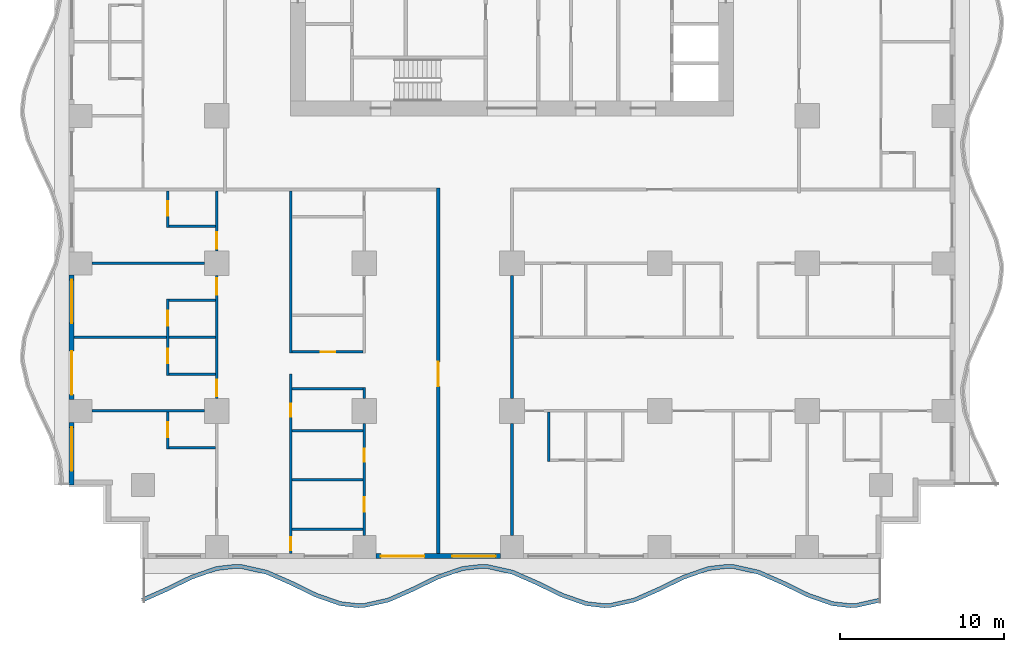
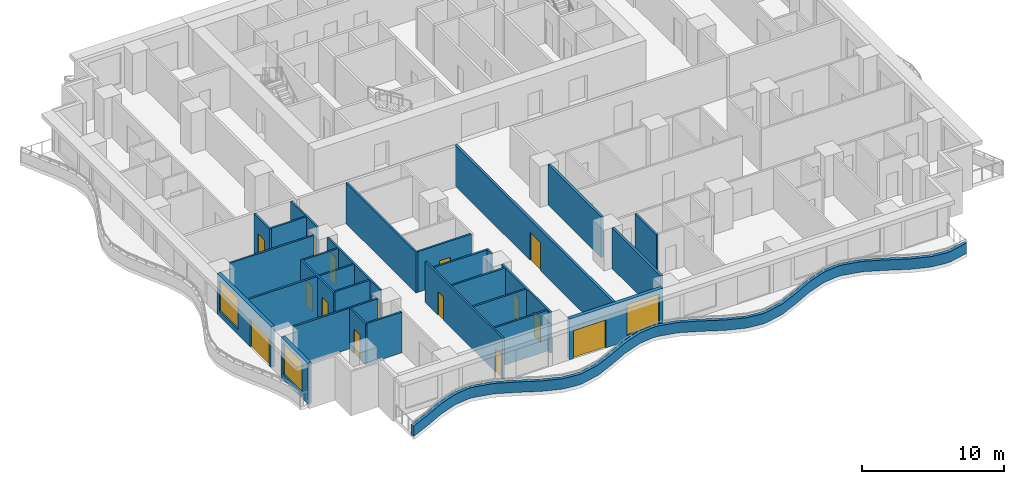
# One storey, part 2 of 14: 30 walls, 15 doors, 3 windows, 18 openings.
"""IFC4 building model written with IfcOpenShell, lengths in metres."""

from ifc_helpers import new_model, si_unit, direction, frame, frame_2d, origin, place, context, subcontext, project, spatial, polyline, rectangle, outline, extrude, material, layer, layer_set, type_object, element, fill, save


model = new_model("IFC4")

# Units and contexts
model_context = context("Model", 3, precision=1e-05, world=origin(), true_north=direction((0.0, 1.0)))
body_context = subcontext(model_context, "Body", "Model", "MODEL_VIEW")
ifc_project = project(units=[si_unit("LENGTHUNIT", "METRE"), si_unit("AREAUNIT", "SQUARE_METRE"), si_unit("VOLUMEUNIT", "CUBIC_METRE"), si_unit("PLANEANGLEUNIT", "RADIAN"), si_unit("MASSUNIT", "GRAM", prefix="KILO")], contexts=[model_context])

# Site, building, storey
site_placement = place(None, origin())
site = spatial("IfcSite", under=ifc_project, at=site_placement, CompositionType="ELEMENT")
building_placement = place(site_placement, origin())
building = spatial("IfcBuilding", under=site, at=building_placement, Name="Orbiselva Terraces", CompositionType="ELEMENT")
storey_placement = place(building_placement, frame((0.0, 0.0, 56.8)))
storey = spatial("IfcBuildingStorey", under=building, at=storey_placement, Name="L14", CompositionType="ELEMENT", Elevation=56.8)

# Wall
ifc_material_1 = material(Name="Concrete C40/50", Category="concrete")
ifc_layer_1 = layer(ifc_material_1, 0.25)
ifc_layer_set_1 = layer_set([ifc_layer_1], Name="Concrete C40/50")
wall_type_1 = type_object("IfcWallType", Name="ENV-PLANTER-250x900", PredefinedType="USERDEFINED", material=ifc_layer_set_1)
wall_1_placement = place(storey_placement, origin())
element("IfcWall", 1, at=wall_1_placement, inside=storey, type_object=wall_type_1, Name="Balcony planter L14 S", ObjectType="PLANTER", PredefinedType="USERDEFINED", context=body_context, shape_type="SweptSolid", body=[
    extrude(outline(polyline([(-22.5, -25.148528), (-21.0, -24.487721), (-19.5, -23.755211), (-18.0, -23.230792), (-16.875, -23.1), (-16.5, -23.114774), (-15.0, -23.451472), (-13.5, -24.112279), (-12.0, -24.844789), (-10.5, -25.369208), (-9.375, -25.5), (-9.0, -25.485226), (-7.5, -25.148528), (-6.0, -24.487721), (-4.5, -23.755211), (-3.0, -23.230792), (-1.875, -23.1), (-1.5, -23.114774), (0.0, -23.451472), (1.5, -24.112279), (3.0, -24.844789), (4.5, -25.369208), (5.625, -25.5), (6.0, -25.485226), (7.5, -25.148528), (9.0, -24.487721), (10.5, -23.755211), (12.0, -23.230792), (13.125, -23.1), (13.5, -23.114774), (15.0, -23.451472), (16.5, -24.112279), (18.0, -24.844789), (19.5, -25.369208), (20.625, -25.5), (21.0, -25.485226), (22.5, -25.148528), (22.445246, -24.904598), (20.967435, -25.236315), (20.634572, -25.249429), (19.556371, -25.124078), (18.09644, -24.613667), (16.605286, -23.885477), (15.078508, -23.212874), (13.532565, -22.865863), (13.115428, -22.849429), (11.943629, -22.985662), (10.40356, -23.524089), (8.894714, -24.260919), (7.421492, -24.90993), (5.967435, -25.236315), (5.634572, -25.249429), (4.556371, -25.124078), (3.09644, -24.613667), (1.605286, -23.885477), (0.078508, -23.212874), (-1.467435, -22.865863), (-1.884572, -22.849429), (-3.056371, -22.985662), (-4.59644, -23.524089), (-6.105286, -24.260919), (-7.578508, -24.90993), (-9.032565, -25.236315), (-9.365428, -25.249429), (-10.443629, -25.124078), (-11.90356, -24.613667), (-13.394714, -23.885477), (-14.921492, -23.212874), (-16.467435, -22.865863), (-16.884572, -22.849429), (-18.056371, -22.985662), (-19.59644, -23.524089), (-21.105286, -24.260919), (-22.600788, -24.919745), (-22.5, -25.148528)])), origin(), (0.0, 0.0, 1.0), 0.9),
])

# Wall, openings, door, window
ifc_material_2 = material(Name="Terracotta cladding on masonry backing", Category="masonry")
ifc_layer_2 = layer(ifc_material_2, 0.3)
ifc_layer_set_2 = layer_set([ifc_layer_2], Name="Terracotta cladding on masonry backing")
wall_type_2 = type_object("IfcWallType", Name="ENV-WALL-TERRACOTTA-300", PredefinedType="SOLIDWALL", material=ifc_layer_set_2)
wall_2_placement = place(storey_placement, frame((-0.7, -22.35, 0.0), z_axis=(0.0, 0.0, 1.0), x_axis=(-1.0, 0.0, 0.0)))
wall_2 = element("IfcWall", 2, at=wall_2_placement, inside=storey, type_object=wall_type_2, Name="Facade wall L14 S", PredefinedType="SOLIDWALL", context=body_context, shape_type="SweptSolid", body=[
    extrude(rectangle(XDim=7.6, YDim=0.3, at=frame_2d((3.8, 0.0))), origin(), (0.0, 0.0, 1.0), 3.5),
])
opening_1_placement = place(wall_2_placement, frame((4.65, 0.0, 0.0)))
opening_1 = element("IfcOpeningElement", 3, at=opening_1_placement, cuts=wall_2, Name="Opening Z1-E-E02", PredefinedType="OPENING", context=body_context, shape_type="SweptSolid", body=[
    extrude(rectangle(XDim=2.65, YDim=2.4, at=frame_2d((1.325, 1.2))), frame((0.0, 0.16, 0.0), z_axis=(0.0, -1.0, 0.0), x_axis=(1.0, 0.0, 0.0)), (0.0, 0.0, 1.0), 0.32),
])
opening_2_placement = place(wall_2_placement, frame((0.3, 0.0, 0.45)))
opening_2 = element("IfcOpeningElement", 4, at=opening_2_placement, cuts=wall_2, Name="Opening WN3", PredefinedType="OPENING", context=body_context, shape_type="SweptSolid", body=[
    extrude(rectangle(XDim=2.65, YDim=2.65, at=frame_2d((1.325, 1.325))), frame((0.0, 0.16, 0.0), z_axis=(0.0, -1.0, 0.0), x_axis=(1.0, 0.0, 0.0)), (0.0, 0.0, 1.0), 0.32),
])
ifc_material_3 = material(Name="Clear low-e glazing in aluminium frame", Category="aluminium")
door_type_1 = type_object("IfcDoorType", Name="BALCONY DOOR 2650 X 2400", OperationType="DOUBLE_DOOR_SLIDING", PredefinedType="DOOR", material=ifc_material_3)
door_1_placement = place(opening_1_placement, origin())
door_1 = element("IfcDoor", 5, at=door_1_placement, inside=storey, type_object=door_type_1, Name="Z1-E-E02", OperationType="SINGLE_SWING_LEFT", OverallHeight=2.4, OverallWidth=2.65, PredefinedType="DOOR", context=body_context, shape_type="SweptSolid", body=[
    extrude(rectangle(XDim=2.65, YDim=2.4, at=frame_2d((1.325, 1.2))), frame((0.0, 0.025, 0.0), z_axis=(0.0, -1.0, 0.0), x_axis=(1.0, 0.0, 0.0)), (0.0, 0.0, 1.0), 0.05),
])
fill(opening_1, door_1)
window_type = type_object("IfcWindowType", Name="WINDOW 2650 X 2650 S450", PartitioningType="TRIPLE_PANEL_VERTICAL", PredefinedType="WINDOW", material=ifc_material_3)
window_1_placement = place(opening_2_placement, origin())
window_1 = element("IfcWindow", 6, at=window_1_placement, inside=storey, type_object=window_type, Name="Window L14 S", OverallHeight=2.65, OverallWidth=2.65, PartitioningType="SINGLE_PANEL", PredefinedType="WINDOW", context=body_context, shape_type="SweptSolid", body=[
    extrude(rectangle(XDim=2.65, YDim=2.65, at=frame_2d((1.325, 1.325))), frame((0.0, 0.03, 0.0), z_axis=(0.0, -1.0, 0.0), x_axis=(1.0, 0.0, 0.0)), (0.0, 0.0, 1.0), 0.06),
])
fill(opening_2, window_1)

wall_3_placement = place(storey_placement, frame((-26.85, -12.8, 0.0), z_axis=(0.0, 0.0, 1.0), x_axis=(0.0, 1.0, 0.0)))
wall_3 = element("IfcWall", 7, at=wall_3_placement, inside=storey, type_object=wall_type_2, Name="Facade wall L14 W", PredefinedType="SOLIDWALL", context=body_context, shape_type="SweptSolid", body=[
    extrude(rectangle(XDim=7.6, YDim=0.3, at=frame_2d((3.8, 0.0))), origin(), (0.0, 0.0, 1.0), 3.5),
])
opening_3_placement = place(wall_3_placement, frame((4.65, 0.0, 0.45)))
opening_3 = element("IfcOpeningElement", 8, at=opening_3_placement, cuts=wall_3, Name="Opening WN3", PredefinedType="OPENING", context=body_context, shape_type="SweptSolid", body=[
    extrude(rectangle(XDim=2.65, YDim=2.65, at=frame_2d((1.325, 1.325))), frame((0.0, 0.16, 0.0), z_axis=(0.0, -1.0, 0.0), x_axis=(1.0, 0.0, 0.0)), (0.0, 0.0, 1.0), 0.32),
])
opening_4_placement = place(wall_3_placement, frame((0.3, 0.0, 0.0)))
opening_4 = element("IfcOpeningElement", 9, at=opening_4_placement, cuts=wall_3, Name="Opening Z1-E-E12", PredefinedType="OPENING", context=body_context, shape_type="SweptSolid", body=[
    extrude(rectangle(XDim=2.65, YDim=2.4, at=frame_2d((1.325, 1.2))), frame((0.0, 0.16, 0.0), z_axis=(0.0, -1.0, 0.0), x_axis=(1.0, 0.0, 0.0)), (0.0, 0.0, 1.0), 0.32),
])
door_2_placement = place(opening_4_placement, origin())
door_2 = element("IfcDoor", 10, at=door_2_placement, inside=storey, type_object=door_type_1, Name="Z1-E-E12", OperationType="SINGLE_SWING_LEFT", OverallHeight=2.4, OverallWidth=2.65, PredefinedType="DOOR", context=body_context, shape_type="SweptSolid", body=[
    extrude(rectangle(XDim=2.65, YDim=2.4, at=frame_2d((1.325, 1.2))), frame((0.0, 0.025, 0.0), z_axis=(0.0, -1.0, 0.0), x_axis=(1.0, 0.0, 0.0)), (0.0, 0.0, 1.0), 0.05),
])
fill(opening_4, door_2)
window_2_placement = place(opening_3_placement, origin())
window_2 = element("IfcWindow", 11, at=window_2_placement, inside=storey, type_object=window_type, Name="Window L14 W", OverallHeight=2.65, OverallWidth=2.65, PartitioningType="SINGLE_PANEL", PredefinedType="WINDOW", context=body_context, shape_type="SweptSolid", body=[
    extrude(rectangle(XDim=2.65, YDim=2.65, at=frame_2d((1.325, 1.325))), frame((0.0, 0.03, 0.0), z_axis=(0.0, -1.0, 0.0), x_axis=(1.0, 0.0, 0.0)), (0.0, 0.0, 1.0), 0.06),
])
fill(opening_3, window_2)

# Wall, opening, window
wall_4_placement = place(storey_placement, frame((-26.85, -18.0, 0.0), z_axis=(0.0, 0.0, 1.0), x_axis=(0.0, 1.0, 0.0)))
wall_4 = element("IfcWall", 12, at=wall_4_placement, inside=storey, type_object=wall_type_2, Name="Facade wall L14 W", PredefinedType="SOLIDWALL", context=body_context, shape_type="SweptSolid", body=[
    extrude(rectangle(XDim=3.8, YDim=0.3, at=frame_2d((1.9, 0.0))), origin(), (0.0, 0.0, 1.0), 3.5),
])
opening_5_placement = place(wall_4_placement, frame((0.85, 0.0, 0.45)))
opening_5 = element("IfcOpeningElement", 13, at=opening_5_placement, cuts=wall_4, Name="Opening WN3", PredefinedType="OPENING", context=body_context, shape_type="SweptSolid", body=[
    extrude(rectangle(XDim=2.65, YDim=2.65, at=frame_2d((1.325, 1.325))), frame((0.0, 0.16, 0.0), z_axis=(0.0, -1.0, 0.0), x_axis=(1.0, 0.0, 0.0)), (0.0, 0.0, 1.0), 0.32),
])
window_3_placement = place(opening_5_placement, origin())
window_3 = element("IfcWindow", 14, at=window_3_placement, inside=storey, type_object=window_type, Name="Window L14 W", OverallHeight=2.65, OverallWidth=2.65, PartitioningType="SINGLE_PANEL", PredefinedType="WINDOW", context=body_context, shape_type="SweptSolid", body=[
    extrude(rectangle(XDim=2.65, YDim=2.65, at=frame_2d((1.325, 1.325))), frame((0.0, 0.03, 0.0), z_axis=(0.0, -1.0, 0.0), x_axis=(1.0, 0.0, 0.0)), (0.0, 0.0, 1.0), 0.06),
])
fill(opening_5, window_3)

# Wall, opening, door
ifc_material_4 = material(Name="Plasterboard on steel stud partition", Category="steel")
ifc_layer_3 = layer(ifc_material_4, 0.2)
ifc_layer_set_3 = layer_set([ifc_layer_3], Name="Plasterboard on steel stud partition")
wall_type_3 = type_object("IfcWallType", Name="UNIT-ENTRANCE-WALL-200", PredefinedType="PARTITIONING", material=ifc_layer_set_3)
wall_5_placement = place(storey_placement, frame((-4.5, -22.2, 0.0), z_axis=(0.0, 0.0, 1.0), x_axis=(0.0, 1.0, 0.0)))
wall_5 = element("IfcWall", 15, at=wall_5_placement, inside=storey, type_object=wall_type_3, Name="PARTITION L14-063", PredefinedType="PARTITIONING", context=body_context, shape_type="SweptSolid", body=[
    extrude(rectangle(XDim=22.3, YDim=0.2, at=frame_2d((11.15, 0.0))), origin(), (0.0, 0.0, 1.0), 3.5),
])
opening_6_placement = place(wall_5_placement, frame((10.2, 0.0, 0.0)))
opening_6 = element("IfcOpeningElement", 16, at=opening_6_placement, cuts=wall_5, Name="Opening Z1-E-15", PredefinedType="OPENING", context=body_context, shape_type="SweptSolid", body=[
    extrude(rectangle(XDim=1.5, YDim=2.4, at=frame_2d((0.75, 1.2))), frame((0.0, 0.11, 0.0), z_axis=(0.0, -1.0, 0.0), x_axis=(1.0, 0.0, 0.0)), (0.0, 0.0, 1.0), 0.22),
])
ifc_material_5 = material(Name="Painted timber door leaf", Category="wood")
door_type_2 = type_object("IfcDoorType", Name="ENTRANCE DOUBLE DOOR 1500", OperationType="NOTDEFINED", PredefinedType="DOOR", material=ifc_material_5)
door_3_placement = place(opening_6_placement, origin())
door_3 = element("IfcDoor", 17, at=door_3_placement, inside=storey, type_object=door_type_2, Name="Z1-E-15", OperationType="DOUBLE_DOOR_SINGLE_SWING", OverallHeight=2.4, OverallWidth=1.5, PredefinedType="DOOR", context=body_context, shape_type="SweptSolid", body=[
    extrude(rectangle(XDim=1.5, YDim=2.4, at=frame_2d((0.75, 1.2))), frame((0.0, 0.025, 0.0), z_axis=(0.0, -1.0, 0.0), x_axis=(1.0, 0.0, 0.0)), (0.0, 0.0, 1.0), 0.05),
])
fill(opening_6, door_3)

# Walls
wall_6_placement = place(storey_placement, frame((0.0, -21.1, 0.0), z_axis=(0.0, 0.0, 1.0), x_axis=(0.0, 1.0, 0.0)))
element("IfcWall", 18, at=wall_6_placement, inside=storey, type_object=wall_type_3, Name="PARTITION L14-064", PredefinedType="PARTITIONING", context=body_context, shape_type="SweptSolid", body=[
    extrude(rectangle(XDim=6.85, YDim=0.2, at=frame_2d((3.425, 0.0))), origin(), (0.0, 0.0, 1.0), 3.5),
])
wall_7_placement = place(storey_placement, frame((0.0, -12.75, 0.0), z_axis=(0.0, 0.0, 1.0), x_axis=(0.0, 1.0, 0.0)))
element("IfcWall", 19, at=wall_7_placement, inside=storey, type_object=wall_type_3, Name="PARTITION L14-065", PredefinedType="PARTITIONING", context=body_context, shape_type="SweptSolid", body=[
    extrude(rectangle(XDim=7.5, YDim=0.2, at=frame_2d((3.75, 0.0))), origin(), (0.0, 0.0, 1.0), 3.5),
])
ifc_layer_4 = layer(ifc_material_4, 0.15)
ifc_layer_set_4 = layer_set([ifc_layer_4], Name="Plasterboard on steel stud partition")
wall_type_4 = type_object("IfcWallType", Name="UNIT-PARTITION-150", PredefinedType="PARTITIONING", material=ifc_layer_set_4)
for number, where, z_axis, x_axis, name in (
    (20, (-13.425, -20.7, 0.0), (0.0, 0.0, 1.0), (1.0, 0.0, 0.0), "PARTITION L14-001"),
    (21, (-13.425, -17.7, 0.0), (0.0, 0.0, 1.0), (1.0, 0.0, 0.0), "PARTITION L14-002"),
):
    element("IfcWall", number, at=place(storey_placement, frame(where, z_axis=z_axis, x_axis=x_axis)), inside=storey, type_object=wall_type_4, Name=name, PredefinedType="PARTITIONING", context=body_context, shape_type="SweptSolid", body=[
        extrude(rectangle(XDim=4.35, YDim=0.15, at=frame_2d((2.175, 0.0))), origin(), (0.0, 0.0, 1.0), 3.5),
    ])
wall_8_placement = place(storey_placement, frame((-20.925, -15.75, 0.0), z_axis=(0.0, 0.0, 1.0), x_axis=(1.0, 0.0, 0.0)))
element("IfcWall", 22, at=wall_8_placement, inside=storey, type_object=wall_type_4, Name="PARTITION L14-007", PredefinedType="PARTITIONING", context=body_context, shape_type="SweptSolid", body=[
    extrude(rectangle(XDim=2.85, YDim=0.15, at=frame_2d((1.425, 0.0))), origin(), (0.0, 0.0, 1.0), 3.5),
])
wall_9_placement = place(storey_placement, frame((-13.425, -14.7, 0.0), z_axis=(0.0, 0.0, 1.0), x_axis=(1.0, 0.0, 0.0)))
element("IfcWall", 23, at=wall_9_placement, inside=storey, type_object=wall_type_4, Name="PARTITION L14-008", PredefinedType="PARTITIONING", context=body_context, shape_type="SweptSolid", body=[
    extrude(rectangle(XDim=4.35, YDim=0.15, at=frame_2d((2.175, 0.0))), origin(), (0.0, 0.0, 1.0), 3.5),
])
wall_10_placement = place(storey_placement, frame((-25.6, -13.5, 0.0), z_axis=(0.0, 0.0, 1.0), x_axis=(1.0, 0.0, 0.0)))
element("IfcWall", 24, at=wall_10_placement, inside=storey, type_object=wall_type_4, Name="PARTITION L14-009", PredefinedType="PARTITIONING", context=body_context, shape_type="SweptSolid", body=[
    extrude(rectangle(XDim=6.85, YDim=0.15, at=frame_2d((3.425, 0.0))), origin(), (0.0, 0.0, 1.0), 3.5),
])
wall_11_placement = place(storey_placement, frame((-13.425, -12.15, 0.0), z_axis=(0.0, 0.0, 1.0), x_axis=(1.0, 0.0, 0.0)))
element("IfcWall", 25, at=wall_11_placement, inside=storey, type_object=wall_type_4, Name="PARTITION L14-013", PredefinedType="PARTITIONING", context=body_context, shape_type="SweptSolid", body=[
    extrude(rectangle(XDim=4.35, YDim=0.15, at=frame_2d((2.175, 0.0))), origin(), (0.0, 0.0, 1.0), 3.5),
])
wall_12_placement = place(storey_placement, frame((-20.925, -11.25, 0.0), z_axis=(0.0, 0.0, 1.0), x_axis=(1.0, 0.0, 0.0)))
element("IfcWall", 26, at=wall_12_placement, inside=storey, type_object=wall_type_4, Name="PARTITION L14-014", PredefinedType="PARTITIONING", context=body_context, shape_type="SweptSolid", body=[
    extrude(rectangle(XDim=2.85, YDim=0.15, at=frame_2d((1.425, 0.0))), origin(), (0.0, 0.0, 1.0), 3.5),
])

# Wall, opening, door
wall_13_placement = place(storey_placement, frame((-13.425, -9.9, 0.0), z_axis=(0.0, 0.0, 1.0), x_axis=(1.0, 0.0, 0.0)))
wall_13 = element("IfcWall", 27, at=wall_13_placement, inside=storey, type_object=wall_type_4, Name="PARTITION L14-015", PredefinedType="PARTITIONING", context=body_context, shape_type="SweptSolid", body=[
    extrude(rectangle(XDim=4.35, YDim=0.15, at=frame_2d((2.175, 0.0))), origin(), (0.0, 0.0, 1.0), 3.5),
])
opening_7_placement = place(wall_13_placement, frame((1.75, 0.0, 0.0)))
opening_7 = element("IfcOpeningElement", 28, at=opening_7_placement, cuts=wall_13, Name="Opening Z1-E-18", PredefinedType="OPENING", context=body_context, shape_type="SweptSolid", body=[
    extrude(rectangle(XDim=0.9, YDim=2.1, at=frame_2d((0.45, 1.05))), frame((0.0, 0.085, 0.0), z_axis=(0.0, -1.0, 0.0), x_axis=(1.0, 0.0, 0.0)), (0.0, 0.0, 1.0), 0.17),
])
door_type_3 = type_object("IfcDoorType", Name="BATH DOOR 900", OperationType="NOTDEFINED", PredefinedType="DOOR", material=ifc_material_5)
door_4_placement = place(opening_7_placement, origin())
door_4 = element("IfcDoor", 29, at=door_4_placement, inside=storey, type_object=door_type_3, Name="Z1-E-18", OperationType="SINGLE_SWING_RIGHT", OverallHeight=2.1, OverallWidth=0.9, PredefinedType="DOOR", context=body_context, shape_type="SweptSolid", body=[
    extrude(rectangle(XDim=0.9, YDim=2.1, at=frame_2d((0.45, 1.05))), frame((0.0, 0.025, 0.0), z_axis=(0.0, -1.0, 0.0), x_axis=(1.0, 0.0, 0.0)), (0.0, 0.0, 1.0), 0.05),
])
fill(opening_7, door_4)

# Walls
wall_14_placement = place(storey_placement, frame((-26.7, -9.0, 0.0), z_axis=(0.0, 0.0, 1.0), x_axis=(1.0, 0.0, 0.0)))
element("IfcWall", 30, at=wall_14_placement, inside=storey, type_object=wall_type_4, Name="PARTITION L14-016", PredefinedType="PARTITIONING", context=body_context, shape_type="SweptSolid", body=[
    extrude(rectangle(XDim=5.625, YDim=0.15, at=frame_2d((2.8125, 0.0))), origin(), (0.0, 0.0, 1.0), 3.5),
])
for number, where, z_axis, x_axis, name in (
    (31, (-20.925, -9.0, 0.0), (0.0, 0.0, 1.0), (1.0, 0.0, 0.0), "PARTITION L14-017"),
    (32, (-20.925, -6.75, 0.0), (0.0, 0.0, 1.0), (1.0, 0.0, 0.0), "PARTITION L14-021"),
):
    element("IfcWall", number, at=place(storey_placement, frame(where, z_axis=z_axis, x_axis=x_axis)), inside=storey, type_object=wall_type_4, Name=name, PredefinedType="PARTITIONING", context=body_context, shape_type="SweptSolid", body=[
        extrude(rectangle(XDim=2.85, YDim=0.15, at=frame_2d((1.425, 0.0))), origin(), (0.0, 0.0, 1.0), 3.5),
    ])
wall_15_placement = place(storey_placement, frame((-25.6, -4.5, 0.0), z_axis=(0.0, 0.0, 1.0), x_axis=(1.0, 0.0, 0.0)))
element("IfcWall", 33, at=wall_15_placement, inside=storey, type_object=wall_type_4, Name="PARTITION L14-022", PredefinedType="PARTITIONING", context=body_context, shape_type="SweptSolid", body=[
    extrude(rectangle(XDim=6.85, YDim=0.15, at=frame_2d((3.425, 0.0))), origin(), (0.0, 0.0, 1.0), 3.5),
])
wall_16_placement = place(storey_placement, frame((-20.925, -2.25, 0.0), z_axis=(0.0, 0.0, 1.0), x_axis=(1.0, 0.0, 0.0)))
element("IfcWall", 34, at=wall_16_placement, inside=storey, type_object=wall_type_4, Name="PARTITION L14-027", PredefinedType="PARTITIONING", context=body_context, shape_type="SweptSolid", body=[
    extrude(rectangle(XDim=2.85, YDim=0.15, at=frame_2d((1.425, 0.0))), origin(), (0.0, 0.0, 1.0), 3.5),
])

# Wall, opening, door
wall_17_placement = place(storey_placement, frame((-21.0, -13.575, 0.0), z_axis=(0.0, 0.0, 1.0), x_axis=(0.0, -1.0, 0.0)))
wall_17 = element("IfcWall", 35, at=wall_17_placement, inside=storey, type_object=wall_type_4, Name="PARTITION L14-047", PredefinedType="PARTITIONING", context=body_context, shape_type="SweptSolid", body=[
    extrude(rectangle(XDim=2.25, YDim=0.15, at=frame_2d((1.125, 0.0))), origin(), (0.0, 0.0, 1.0), 3.5),
])
opening_8_placement = place(wall_17_placement, frame((0.625, 0.0, 0.0)))
opening_8 = element("IfcOpeningElement", 36, at=opening_8_placement, cuts=wall_17, Name="Opening Z1-E-30", PredefinedType="OPENING", context=body_context, shape_type="SweptSolid", body=[
    extrude(rectangle(XDim=0.9, YDim=2.1, at=frame_2d((0.45, 1.05))), frame((0.0, 0.085, 0.0), z_axis=(0.0, -1.0, 0.0), x_axis=(1.0, 0.0, 0.0)), (0.0, 0.0, 1.0), 0.17),
])
door_5_placement = place(opening_8_placement, origin())
door_5 = element("IfcDoor", 37, at=door_5_placement, inside=storey, type_object=door_type_3, Name="Z1-E-30", OperationType="SINGLE_SWING_LEFT", OverallHeight=2.1, OverallWidth=0.9, PredefinedType="DOOR", context=body_context, shape_type="SweptSolid", body=[
    extrude(rectangle(XDim=0.9, YDim=2.1, at=frame_2d((0.45, 1.05))), frame((0.0, 0.025, 0.0), z_axis=(0.0, -1.0, 0.0), x_axis=(1.0, 0.0, 0.0)), (0.0, 0.0, 1.0), 0.05),
])
fill(opening_8, door_5)

# Wall, openings, doors
wall_18_placement = place(storey_placement, frame((-21.0, -6.675, 0.0), z_axis=(0.0, 0.0, 1.0), x_axis=(0.0, -1.0, 0.0)))
wall_18 = element("IfcWall", 38, at=wall_18_placement, inside=storey, type_object=wall_type_4, Name="PARTITION L14-048", PredefinedType="PARTITIONING", context=body_context, shape_type="SweptSolid", body=[
    extrude(rectangle(XDim=4.65, YDim=0.15, at=frame_2d((2.325, 0.0))), origin(), (0.0, 0.0, 1.0), 3.5),
])
opening_9_placement = place(wall_18_placement, frame((0.725, 0.0, 0.0)))
opening_9 = element("IfcOpeningElement", 39, at=opening_9_placement, cuts=wall_18, Name="Opening Z1-E-26", PredefinedType="OPENING", context=body_context, shape_type="SweptSolid", body=[
    extrude(rectangle(XDim=0.9, YDim=2.1, at=frame_2d((0.45, 1.05))), frame((0.0, 0.085, 0.0), z_axis=(0.0, -1.0, 0.0), x_axis=(1.0, 0.0, 0.0)), (0.0, 0.0, 1.0), 0.17),
])
opening_10_placement = place(wall_18_placement, frame((3.025, 0.0, 0.0)))
opening_10 = element("IfcOpeningElement", 40, at=opening_10_placement, cuts=wall_18, Name="Opening Z1-E-28", PredefinedType="OPENING", context=body_context, shape_type="SweptSolid", body=[
    extrude(rectangle(XDim=0.9, YDim=2.1, at=frame_2d((0.45, 1.05))), frame((0.0, 0.085, 0.0), z_axis=(0.0, -1.0, 0.0), x_axis=(1.0, 0.0, 0.0)), (0.0, 0.0, 1.0), 0.17),
])
door_6_placement = place(opening_9_placement, origin())
door_6 = element("IfcDoor", 41, at=door_6_placement, inside=storey, type_object=door_type_3, Name="Z1-E-26", OperationType="SINGLE_SWING_LEFT", OverallHeight=2.1, OverallWidth=0.9, PredefinedType="DOOR", context=body_context, shape_type="SweptSolid", body=[
    extrude(rectangle(XDim=0.9, YDim=2.1, at=frame_2d((0.45, 1.05))), frame((0.0, 0.025, 0.0), z_axis=(0.0, -1.0, 0.0), x_axis=(1.0, 0.0, 0.0)), (0.0, 0.0, 1.0), 0.05),
])
fill(opening_9, door_6)
door_7_placement = place(opening_10_placement, origin())
door_7 = element("IfcDoor", 42, at=door_7_placement, inside=storey, type_object=door_type_3, Name="Z1-E-28", OperationType="SINGLE_SWING_RIGHT", OverallHeight=2.1, OverallWidth=0.9, PredefinedType="DOOR", context=body_context, shape_type="SweptSolid", body=[
    extrude(rectangle(XDim=0.9, YDim=2.1, at=frame_2d((0.45, 1.05))), frame((0.0, 0.025, 0.0), z_axis=(0.0, -1.0, 0.0), x_axis=(1.0, 0.0, 0.0)), (0.0, 0.0, 1.0), 0.05),
])
fill(opening_10, door_7)

# Wall, opening, door
wall_19_placement = place(storey_placement, frame((-21.0, -0.1, 0.0), z_axis=(0.0, 0.0, 1.0), x_axis=(0.0, -1.0, 0.0)))
wall_19 = element("IfcWall", 43, at=wall_19_placement, inside=storey, type_object=wall_type_4, Name="PARTITION L14-049", PredefinedType="PARTITIONING", context=body_context, shape_type="SweptSolid", body=[
    extrude(rectangle(XDim=2.225, YDim=0.15, at=frame_2d((1.1125, 0.0))), origin(), (0.0, 0.0, 1.0), 3.5),
])
opening_11_placement = place(wall_19_placement, frame((0.6, 0.0, 0.0)))
opening_11 = element("IfcOpeningElement", 44, at=opening_11_placement, cuts=wall_19, Name="Opening Z1-E-24", PredefinedType="OPENING", context=body_context, shape_type="SweptSolid", body=[
    extrude(rectangle(XDim=0.9, YDim=2.1, at=frame_2d((0.45, 1.05))), frame((0.0, 0.085, 0.0), z_axis=(0.0, -1.0, 0.0), x_axis=(1.0, 0.0, 0.0)), (0.0, 0.0, 1.0), 0.17),
])
door_8_placement = place(opening_11_placement, origin())
door_8 = element("IfcDoor", 45, at=door_8_placement, inside=storey, type_object=door_type_3, Name="Z1-E-24", OperationType="SINGLE_SWING_LEFT", OverallHeight=2.1, OverallWidth=0.9, PredefinedType="DOOR", context=body_context, shape_type="SweptSolid", body=[
    extrude(rectangle(XDim=0.9, YDim=2.1, at=frame_2d((0.45, 1.05))), frame((0.0, 0.025, 0.0), z_axis=(0.0, -1.0, 0.0), x_axis=(1.0, 0.0, 0.0)), (0.0, 0.0, 1.0), 0.05),
])
fill(opening_11, door_8)

# Wall, openings, doors
wall_20_placement = place(storey_placement, frame((-18.0, -12.75, 0.0), z_axis=(0.0, 0.0, 1.0), x_axis=(0.0, 1.0, 0.0)))
wall_20 = element("IfcWall", 46, at=wall_20_placement, inside=storey, type_object=wall_type_4, Name="PARTITION L14-051", PredefinedType="PARTITIONING", context=body_context, shape_type="SweptSolid", body=[
    extrude(rectangle(XDim=7.5, YDim=0.15, at=frame_2d((3.75, 0.0))), origin(), (0.0, 0.0, 1.0), 3.5),
])
opening_12_placement = place(wall_20_placement, frame((6.35, 0.0, 0.0)))
opening_12 = element("IfcOpeningElement", 47, at=opening_12_placement, cuts=wall_20, Name="Opening Z1-E-25", PredefinedType="OPENING", context=body_context, shape_type="SweptSolid", body=[
    extrude(rectangle(XDim=1.0, YDim=2.4, at=frame_2d((0.5, 1.2))), frame((0.0, 0.085, 0.0), z_axis=(0.0, -1.0, 0.0), x_axis=(1.0, 0.0, 0.0)), (0.0, 0.0, 1.0), 0.17),
])
opening_13_placement = place(wall_20_placement, frame((0.15, 0.0, 0.0)))
opening_13 = element("IfcOpeningElement", 48, at=opening_13_placement, cuts=wall_20, Name="Opening Z1-E-27", PredefinedType="OPENING", context=body_context, shape_type="SweptSolid", body=[
    extrude(rectangle(XDim=1.0, YDim=2.4, at=frame_2d((0.5, 1.2))), frame((0.0, 0.085, 0.0), z_axis=(0.0, -1.0, 0.0), x_axis=(1.0, 0.0, 0.0)), (0.0, 0.0, 1.0), 0.17),
])
door_type_4 = type_object("IfcDoorType", Name="ROOM DOOR 1000", OperationType="NOTDEFINED", PredefinedType="DOOR", material=ifc_material_5)
door_9_placement = place(opening_12_placement, origin())
door_9 = element("IfcDoor", 49, at=door_9_placement, inside=storey, type_object=door_type_4, Name="Z1-E-25", OperationType="SINGLE_SWING_RIGHT", OverallHeight=2.4, OverallWidth=1.0, PredefinedType="DOOR", context=body_context, shape_type="SweptSolid", body=[
    extrude(rectangle(XDim=1.0, YDim=2.4, at=frame_2d((0.5, 1.2))), frame((0.0, 0.025, 0.0), z_axis=(0.0, -1.0, 0.0), x_axis=(1.0, 0.0, 0.0)), (0.0, 0.0, 1.0), 0.05),
])
fill(opening_12, door_9)
door_10_placement = place(opening_13_placement, origin())
door_10 = element("IfcDoor", 50, at=door_10_placement, inside=storey, type_object=door_type_4, Name="Z1-E-27", OperationType="SINGLE_SWING_LEFT", OverallHeight=2.4, OverallWidth=1.0, PredefinedType="DOOR", context=body_context, shape_type="SweptSolid", body=[
    extrude(rectangle(XDim=1.0, YDim=2.4, at=frame_2d((0.5, 1.2))), frame((0.0, 0.025, 0.0), z_axis=(0.0, -1.0, 0.0), x_axis=(1.0, 0.0, 0.0)), (0.0, 0.0, 1.0), 0.05),
])
fill(opening_13, door_10)

# Wall, opening, door
wall_21_placement = place(storey_placement, frame((-18.0, -3.75, 0.0), z_axis=(0.0, 0.0, 1.0), x_axis=(0.0, 1.0, 0.0)))
wall_21 = element("IfcWall", 51, at=wall_21_placement, inside=storey, type_object=wall_type_4, Name="PARTITION L14-052", PredefinedType="PARTITIONING", context=body_context, shape_type="SweptSolid", body=[
    extrude(rectangle(XDim=3.65, YDim=0.15, at=frame_2d((1.825, 0.0))), origin(), (0.0, 0.0, 1.0), 3.5),
])
opening_14_placement = place(wall_21_placement, frame((0.15, 0.0, 0.0)))
opening_14 = element("IfcOpeningElement", 52, at=opening_14_placement, cuts=wall_21, Name="Opening Z1-E-23", PredefinedType="OPENING", context=body_context, shape_type="SweptSolid", body=[
    extrude(rectangle(XDim=1.0, YDim=2.4, at=frame_2d((0.5, 1.2))), frame((0.0, 0.085, 0.0), z_axis=(0.0, -1.0, 0.0), x_axis=(1.0, 0.0, 0.0)), (0.0, 0.0, 1.0), 0.17),
])
door_11_placement = place(opening_14_placement, origin())
door_11 = element("IfcDoor", 53, at=door_11_placement, inside=storey, type_object=door_type_4, Name="Z1-E-23", OperationType="SINGLE_SWING_LEFT", OverallHeight=2.4, OverallWidth=1.0, PredefinedType="DOOR", context=body_context, shape_type="SweptSolid", body=[
    extrude(rectangle(XDim=1.0, YDim=2.4, at=frame_2d((0.5, 1.2))), frame((0.0, 0.025, 0.0), z_axis=(0.0, -1.0, 0.0), x_axis=(1.0, 0.0, 0.0)), (0.0, 0.0, 1.0), 0.05),
])
fill(opening_14, door_11)

# Wall, openings, doors
wall_22_placement = place(storey_placement, frame((-13.5, -11.25, 0.0), z_axis=(0.0, 0.0, 1.0), x_axis=(0.0, -1.0, 0.0)))
wall_22 = element("IfcWall", 54, at=wall_22_placement, inside=storey, type_object=wall_type_4, Name="PARTITION L14-057", PredefinedType="PARTITIONING", context=body_context, shape_type="SweptSolid", body=[
    extrude(rectangle(XDim=10.95, YDim=0.15, at=frame_2d((5.475, 0.0))), origin(), (0.0, 0.0, 1.0), 3.5),
])
opening_15_placement = place(wall_22_placement, frame((1.8, 0.0, 0.0)))
opening_15 = element("IfcOpeningElement", 55, at=opening_15_placement, cuts=wall_22, Name="Opening Z1-E-19", PredefinedType="OPENING", context=body_context, shape_type="SweptSolid", body=[
    extrude(rectangle(XDim=0.8, YDim=2.0, at=frame_2d((0.4, 1.0))), frame((0.0, 0.085, 0.0), z_axis=(0.0, -1.0, 0.0), x_axis=(1.0, 0.0, 0.0)), (0.0, 0.0, 1.0), 0.17),
])
opening_16_placement = place(wall_22_placement, frame((9.95, 0.0, 0.0)))
opening_16 = element("IfcOpeningElement", 56, at=opening_16_placement, cuts=wall_22, Name="Opening Z1-E-22", PredefinedType="OPENING", context=body_context, shape_type="SweptSolid", body=[
    extrude(rectangle(XDim=0.8, YDim=2.0, at=frame_2d((0.4, 1.0))), frame((0.0, 0.085, 0.0), z_axis=(0.0, -1.0, 0.0), x_axis=(1.0, 0.0, 0.0)), (0.0, 0.0, 1.0), 0.17),
])
door_type_5 = type_object("IfcDoorType", Name="STORE DOOR 800", OperationType="NOTDEFINED", PredefinedType="DOOR", material=ifc_material_5)
door_12_placement = place(opening_15_placement, origin())
door_12 = element("IfcDoor", 57, at=door_12_placement, inside=storey, type_object=door_type_5, Name="Z1-E-19", OperationType="SINGLE_SWING_LEFT", OverallHeight=2.0, OverallWidth=0.8, PredefinedType="DOOR", context=body_context, shape_type="SweptSolid", body=[
    extrude(rectangle(XDim=0.8, YDim=2.0, at=frame_2d((0.4, 1.0))), frame((0.0, 0.025, 0.0), z_axis=(0.0, -1.0, 0.0), x_axis=(1.0, 0.0, 0.0)), (0.0, 0.0, 1.0), 0.05),
])
fill(opening_15, door_12)
door_13_placement = place(opening_16_placement, origin())
door_13 = element("IfcDoor", 58, at=door_13_placement, inside=storey, type_object=door_type_5, Name="Z1-E-22", OperationType="SINGLE_SWING_RIGHT", OverallHeight=2.0, OverallWidth=0.8, PredefinedType="DOOR", context=body_context, shape_type="SweptSolid", body=[
    extrude(rectangle(XDim=0.8, YDim=2.0, at=frame_2d((0.4, 1.0))), frame((0.0, 0.025, 0.0), z_axis=(0.0, -1.0, 0.0), x_axis=(1.0, 0.0, 0.0)), (0.0, 0.0, 1.0), 0.05),
])
fill(opening_16, door_13)

# Wall
wall_23_placement = place(storey_placement, frame((-13.5, -9.975, 0.0), z_axis=(0.0, 0.0, 1.0), x_axis=(0.0, 1.0, 0.0)))
element("IfcWall", 59, at=wall_23_placement, inside=storey, type_object=wall_type_4, Name="PARTITION L14-058", PredefinedType="PARTITIONING", context=body_context, shape_type="SweptSolid", body=[
    extrude(rectangle(XDim=9.875, YDim=0.15, at=frame_2d((4.9375, 0.0))), origin(), (0.0, 0.0, 1.0), 3.5),
])

# Wall, openings, doors
wall_24_placement = place(storey_placement, frame((-9.0, -21.1, 0.0), z_axis=(0.0, 0.0, 1.0), x_axis=(0.0, 1.0, 0.0)))
wall_24 = element("IfcWall", 60, at=wall_24_placement, inside=storey, type_object=wall_type_4, Name="PARTITION L14-059", PredefinedType="PARTITIONING", context=body_context, shape_type="SweptSolid", body=[
    extrude(rectangle(XDim=6.85, YDim=0.15, at=frame_2d((3.425, 0.0))), origin(), (0.0, 0.0, 1.0), 3.5),
])
opening_17_placement = place(wall_24_placement, frame((4.5, 0.0, 0.0)))
opening_17 = element("IfcOpeningElement", 61, at=opening_17_placement, cuts=wall_24, Name="Opening Z1-E-20", PredefinedType="OPENING", context=body_context, shape_type="SweptSolid", body=[
    extrude(rectangle(XDim=0.8, YDim=2.0, at=frame_2d((0.4, 1.0))), frame((0.0, 0.085, 0.0), z_axis=(0.0, -1.0, 0.0), x_axis=(1.0, 0.0, 0.0)), (0.0, 0.0, 1.0), 0.17),
])
opening_18_placement = place(wall_24_placement, frame((1.45, 0.0, 0.0)))
opening_18 = element("IfcOpeningElement", 62, at=opening_18_placement, cuts=wall_24, Name="Opening Z1-E-21", PredefinedType="OPENING", context=body_context, shape_type="SweptSolid", body=[
    extrude(rectangle(XDim=0.9, YDim=2.1, at=frame_2d((0.45, 1.05))), frame((0.0, 0.085, 0.0), z_axis=(0.0, -1.0, 0.0), x_axis=(1.0, 0.0, 0.0)), (0.0, 0.0, 1.0), 0.17),
])
door_type_6 = type_object("IfcDoorType", Name="SERVICE DOOR 900", OperationType="NOTDEFINED", PredefinedType="DOOR", material=ifc_material_5)
door_14_placement = place(opening_18_placement, origin())
door_14 = element("IfcDoor", 63, at=door_14_placement, inside=storey, type_object=door_type_6, Name="Z1-E-21", OperationType="SINGLE_SWING_LEFT", OverallHeight=2.1, OverallWidth=0.9, PredefinedType="DOOR", context=body_context, shape_type="SweptSolid", body=[
    extrude(rectangle(XDim=0.9, YDim=2.1, at=frame_2d((0.45, 1.05))), frame((0.0, 0.025, 0.0), z_axis=(0.0, -1.0, 0.0), x_axis=(1.0, 0.0, 0.0)), (0.0, 0.0, 1.0), 0.05),
])
fill(opening_18, door_14)
door_15_placement = place(opening_17_placement, origin())
door_15 = element("IfcDoor", 64, at=door_15_placement, inside=storey, type_object=door_type_5, Name="Z1-E-20", OperationType="SINGLE_SWING_RIGHT", OverallHeight=2.0, OverallWidth=0.8, PredefinedType="DOOR", context=body_context, shape_type="SweptSolid", body=[
    extrude(rectangle(XDim=0.8, YDim=2.0, at=frame_2d((0.4, 1.0))), frame((0.0, 0.025, 0.0), z_axis=(0.0, -1.0, 0.0), x_axis=(1.0, 0.0, 0.0)), (0.0, 0.0, 1.0), 0.05),
])
fill(opening_17, door_15)

# Walls
wall_25_placement = place(storey_placement, frame((-9.0, -12.75, 0.0), z_axis=(0.0, 0.0, 1.0), x_axis=(0.0, 1.0, 0.0)))
element("IfcWall", 65, at=wall_25_placement, inside=storey, type_object=wall_type_4, Name="PARTITION L14-060", PredefinedType="PARTITIONING", context=body_context, shape_type="SweptSolid", body=[
    extrude(rectangle(XDim=0.675, YDim=0.15, at=frame_2d((0.3375, 0.0))), origin(), (0.0, 0.0, 1.0), 3.5),
])
wall_26_placement = place(storey_placement, frame((2.25, -16.575, 0.0), z_axis=(0.0, 0.0, 1.0), x_axis=(0.0, 1.0, 0.0)))
element("IfcWall", 66, at=wall_26_placement, inside=storey, type_object=wall_type_4, Name="PARTITION L14-068", PredefinedType="PARTITIONING", context=body_context, shape_type="SweptSolid", body=[
    extrude(rectangle(XDim=3.0, YDim=0.15, at=frame_2d((1.5, 0.0))), origin(), (0.0, 0.0, 1.0), 3.5),
])

save(model, "model.ifc")
